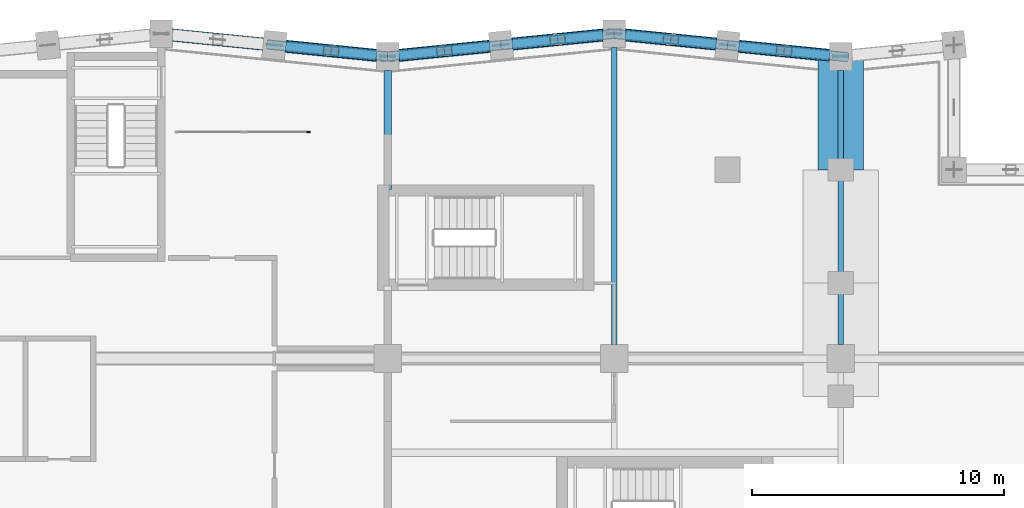
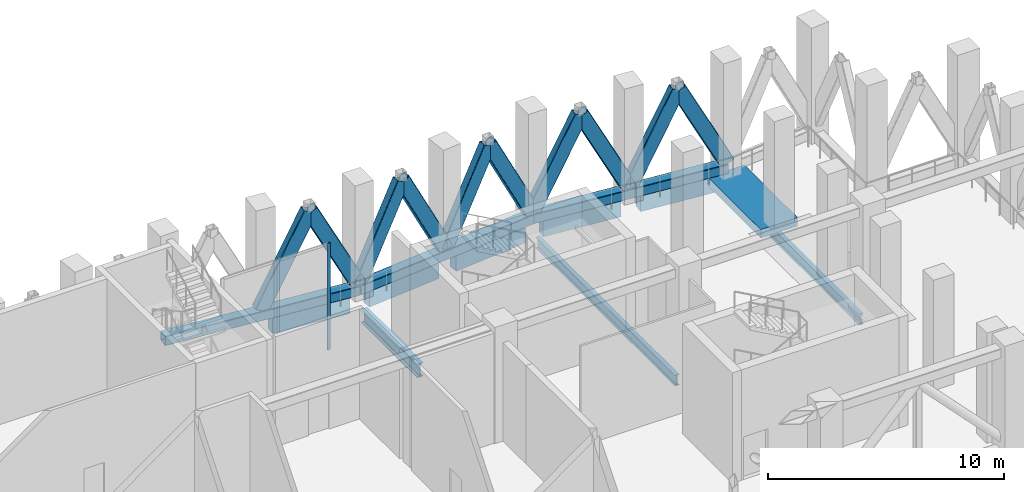
# One storey, part 8 of 28: 14 members, 9 beams, 1 element without a shape of its own.
"""IFC4 building model written with IfcOpenShell, lengths in metres."""

from ifc_helpers import new_model, si_unit, direction, frame, origin, origin_2d, place, context, subcontext, project, spatial, rectangle, hollow_rectangle, i_section, extrude, material, material_profile, profile_set, type_object, element, aggregate, save


model = new_model("IFC4")

# Units and contexts
model_context = context("Model", 3, precision=1e-05, world=origin(), true_north=direction((0.0, 1.0)))
body_context = subcontext(model_context, "Body", "Model", "MODEL_VIEW")
ifc_project = project(units=[si_unit("LENGTHUNIT", "METRE"), si_unit("AREAUNIT", "SQUARE_METRE"), si_unit("VOLUMEUNIT", "CUBIC_METRE"), si_unit("PLANEANGLEUNIT", "RADIAN"), si_unit("MASSUNIT", "GRAM", prefix="KILO")], contexts=[model_context])

# Site, building, storey
site_placement = place(None, origin())
site = spatial("IfcSite", under=ifc_project, at=site_placement, CompositionType="ELEMENT")
building_placement = place(site_placement, origin())
building = spatial("IfcBuilding", under=site, at=building_placement, Name="Brondeck Convention Tower", CompositionType="ELEMENT")
storey_placement = place(building_placement, frame((0.0, 0.0, 192.800048828125)))
storey = spatial("IfcBuildingStorey", under=building, at=storey_placement, Name="L47", CompositionType="ELEMENT", Elevation=192.800048828125)

# Beam
ifc_material_1 = material(Name="Concrete C70/85", Category="concrete")
ifc_material_profile_1 = material_profile(ifc_material_1, rectangle(XDim=1.800048828125, YDim=0.43994140625, at=origin_2d()), Name="Band beam 1800x440 Concrete C70/85")
ifc_profile_set_1 = profile_set([ifc_material_profile_1], Name="Concrete C70/85")
beam_type_1 = type_object("IfcBeamType", Name="Band beam 1800x440 Concrete C70/85", PredefinedType="BEAM", material=ifc_profile_set_1)
beam_1_placement = place(storey_placement, frame((54.0, 58.5, -0.219970703125), z_axis=(0.0, 1.0, 0.0), x_axis=(-1.0, 0.0, 0.0)))
element("IfcBeam", 1, at=beam_1_placement, inside=storey, type_object=beam_type_1, Name="Band beam L47-31", PredefinedType="BEAM", context=body_context, shape_type="SweptSolid", body=[
    extrude(rectangle(XDim=1.800048828125, YDim=0.43994140625, at=origin_2d()), origin(), (0.0, 0.0, 1.0), 4.5),
])

# Curtain wall, member
ifc_material_2 = material(Name="Aluminium, bronze anodised", Category="aluminium")
curtain_wall_type = type_object("IfcCurtainWallType", Name="Band enclosure curtain wall", PredefinedType="NOTDEFINED", material=ifc_material_2)
curtain_wall_placement = place(storey_placement, origin())
curtain_wall = element("IfcCurtainWall", 2, at=curtain_wall_placement, inside=storey, type_object=curtain_wall_type, Name="ENV-L47-001-CW50", PredefinedType="NOTDEFINED")
ifc_material_profile_2 = material_profile(ifc_material_2, rectangle(XDim=0.06005859375, YDim=0.14990234375, at=origin_2d()), Name="CW5 mullion")
ifc_profile_set_2 = profile_set([ifc_material_profile_2], Name="Aluminium, bronze anodised")
member_type_1 = type_object("IfcMemberType", Name="CW5 mullion", PredefinedType="MULLION", material=ifc_profile_set_2)
member_placement = place(storey_placement, frame((32.85009765625, 60.0, 0.0), z_axis=(0.0, 0.0, 1.0), x_axis=(0.0, 1.0, 0.0)))
member = element("IfcMember", 3, at=member_placement, type_object=member_type_1, Name="CW5 mullion 2", PredefinedType="MULLION", context=body_context, shape_type="SweptSolid", body=[
    extrude(rectangle(XDim=0.06005859375, YDim=0.14990234375, at=origin_2d()), origin(), (0.0, 0.0, 1.0), 5.5),
])
aggregate(curtain_wall, [member])

# Members
ifc_material_3 = material(Name="Steel S460", Category="steel")
ifc_material_profile_3 = material_profile(ifc_material_3, hollow_rectangle(XDim=0.39990234375, YDim=0.699951171875, WallThickness=0.030029296875, InnerFilletRadius=0.030029296875, OuterFilletRadius=0.06005859375, at=origin_2d()), Name="RHS 700x400x30")
ifc_profile_set_3 = profile_set([ifc_material_profile_3], Name="Steel S460")
member_type_2 = type_object("IfcMemberType", Name="Chevron brace RHS 700x400x30", PredefinedType="BRACE", material=ifc_profile_set_3)
for number, where, z_axis, x_axis, name in (
    (4, (54.0, 63.0, 0.5), (-0.451749471427, 0.045194554325, 0.89099936438), (-0.099546478526, -0.995032913332, 0.0), "Belt truss BT-47-28 diagonal"),
    (5, (49.5, 63.449951171875, 0.5), (0.451750471668, -0.045145636329, 0.891001337186), (0.099439578731, 0.995043602151, 0.0), "Belt truss BT-47-28 diagonal"),
    (6, (49.5, 63.449951171875, 0.5), (-0.451749471427, 0.045194554325, 0.89099936438), (-0.099546478526, -0.995032913332, 0.0), "Belt truss BT-47-29 diagonal"),
    (7, (45.0, 63.89990234375, 0.5), (0.451750471668, -0.045145636329, 0.891001337186), (0.099439578731, 0.995043602151, 0.0), "Belt truss BT-47-29 diagonal"),
    (8, (45.0, 63.89990234375, 0.5), (-0.451750471668, -0.045145636329, 0.891001337186), (0.099439578731, -0.995043602151, 0.0), "Belt truss BT-47-30 diagonal"),
    (9, (40.5, 63.449951171875, 0.5), (0.451749471427, 0.045194554325, 0.89099936438), (-0.099546478526, 0.995032913332, 0.0), "Belt truss BT-47-30 diagonal"),
    (10, (40.5, 63.449951171875, 0.5), (-0.451750471668, -0.045145636329, 0.891001337186), (0.099439578731, -0.995043602151, 0.0), "Belt truss BT-47-31 diagonal"),
    (11, (36.0, 63.0, 0.5), (0.451749471427, 0.045194554325, 0.89099936438), (-0.099546478526, 0.995032913332, 0.0), "Belt truss BT-47-31 diagonal"),
    (12, (36.0, 63.0, 0.5), (-0.451749471427, 0.045194554325, 0.89099936438), (-0.099546478526, -0.995032913332, 0.0), "Belt truss BT-47-32 diagonal"),
    (13, (31.5, 63.449951171875, 0.5), (0.451750471668, -0.045145636329, 0.891001337186), (0.099439578731, 0.995043602151, 0.0), "Belt truss BT-47-32 diagonal"),
):
    element("IfcMember", number, at=place(storey_placement, frame(where, z_axis=z_axis, x_axis=x_axis)), inside=storey, type_object=member_type_2, Name=name, PredefinedType="BRACE", context=body_context, shape_type="SweptSolid", body=[
        extrude(hollow_rectangle(XDim=0.39990234375, YDim=0.699951171875, WallThickness=0.030029296875, InnerFilletRadius=0.030029296875, OuterFilletRadius=0.06005859375, at=origin_2d()), origin(), (0.0, 0.0, 1.0), 4.980712890625),
    ])

# Beams
ifc_material_4 = material(Name="Steel S355", Category="steel")
ifc_material_profile_4 = material_profile(ifc_material_4, i_section(OverallWidth=0.2099609375, OverallDepth=0.550048828125, WebThickness=0.010986328125, FlangeThickness=0.01708984375, FilletRadius=0.02392578125, at=origin_2d()), Name="IPE 550")
ifc_profile_set_4 = profile_set([ifc_material_profile_4], Name="Steel S355")
beam_type_2 = type_object("IfcBeamType", Name="Floor beam IPE 550", PredefinedType="BEAM", material=ifc_profile_set_4)
beam_2_placement = place(storey_placement, frame((45.0, 51.550048828125, -0.72509765625), z_axis=(0.0, 1.0, 0.0), x_axis=(-1.0, 0.0, 0.0)))
element("IfcBeam", 14, at=beam_2_placement, inside=storey, type_object=beam_type_2, Name="STR-FB-L47-002", PredefinedType="BEAM", context=body_context, shape_type="SweptSolid", body=[
    extrude(i_section(OverallWidth=0.2099609375, OverallDepth=0.550048828125, WebThickness=0.010986328125, FlangeThickness=0.01708984375, FilletRadius=0.02392578125, at=origin_2d()), origin(), (0.0, 0.0, 1.0), 11.800048828125),
])
beam_3_placement = place(storey_placement, frame((54.0, 51.550048828125, -0.72509765625), z_axis=(0.0, 1.0, 0.0), x_axis=(-1.0, 0.0, 0.0)))
element("IfcBeam", 15, at=beam_3_placement, inside=storey, type_object=beam_type_2, Name="STR-FB-L47-005", PredefinedType="BEAM", context=body_context, shape_type="SweptSolid", body=[
    extrude(i_section(OverallWidth=0.2099609375, OverallDepth=0.550048828125, WebThickness=0.010986328125, FlangeThickness=0.01708984375, FilletRadius=0.02392578125, at=origin_2d()), origin(), (0.0, 0.0, 1.0), 10.89990234375),
])
ifc_material_profile_5 = material_profile(ifc_material_4, i_section(OverallWidth=0.300048828125, OverallDepth=0.699951171875, WebThickness=0.01708984375, FlangeThickness=0.031982421875, FilletRadius=0.027099609375, at=origin_2d()), Name="HEB 700")
ifc_profile_set_5 = profile_set([ifc_material_profile_5], Name="Steel S355")
beam_type_3 = type_object("IfcBeamType", Name="Girder HEB 700", PredefinedType="BEAM", material=ifc_profile_set_5)
beam_4_placement = place(storey_placement, frame((36.0, 57.719970703125, -0.800048828125), z_axis=(0.0, 1.0, 0.0), x_axis=(-1.0, 0.0, 0.0)))
element("IfcBeam", 16, at=beam_4_placement, inside=storey, type_object=beam_type_3, Name="STR-GR-L47-010", PredefinedType="BEAM", context=body_context, shape_type="SweptSolid", body=[
    extrude(i_section(OverallWidth=0.300048828125, OverallDepth=0.699951171875, WebThickness=0.01708984375, FlangeThickness=0.031982421875, FilletRadius=0.027099609375, at=origin_2d()), origin(), (0.0, 0.0, 1.0), 4.72998046875),
])
ifc_material_profile_6 = material_profile(ifc_material_1, rectangle(XDim=0.449951171875, YDim=0.800048828125, at=origin_2d()), Name="Precast spandrel 450x800 Concrete C70/85")
ifc_profile_set_6 = profile_set([ifc_material_profile_6], Name="Concrete C70/85")
beam_type_4 = type_object("IfcBeamType", Name="Precast spandrel 450x800 Concrete C70/85", PredefinedType="SPANDREL", material=ifc_profile_set_6)
for number, where, z_axis, x_axis, name in (
    (17, (53.550048828125, 63.044921875, -0.400146484375), (-0.995033851182, 0.099537103649, 0.0), (-0.099537103649, -0.995033851182, 0.0), "STR-SP-L47-028"),
    (18, (49.05224609375, 63.494873046875, -0.400146484375), (-0.995040528141, 0.099470334057, 0.0), (-0.099470334057, -0.995040528141, 0.0), "STR-SP-L47-029"),
    (19, (44.550048828125, 63.85498046875, -0.400146484375), (-0.995040528141, -0.099470334057, 0.0), (0.099470334057, -0.995040528141, 0.0), "STR-SP-L47-030"),
    (20, (40.05224609375, 63.4052734375, -0.400146484375), (-0.995033851182, -0.099537103649, 0.0), (0.099537103649, -0.995033851182, 0.0), "STR-SP-L47-031"),
    (21, (35.550048828125, 63.044921875, -0.400146484375), (-0.995033851182, 0.099537103649, 0.0), (-0.099537103649, -0.995033851182, 0.0), "STR-SP-L47-032"),
):
    element("IfcBeam", number, at=place(storey_placement, frame(where, z_axis=z_axis, x_axis=x_axis)), inside=storey, type_object=beam_type_4, Name=name, PredefinedType="SPANDREL", context=body_context, shape_type="SweptSolid", body=[
        extrude(rectangle(XDim=0.449951171875, YDim=0.800048828125, at=origin_2d()), origin(), (0.0, 0.0, 1.0), 3.620361328125),
    ])

# Members
ifc_material_profile_7 = material_profile(ifc_material_3, hollow_rectangle(XDim=0.5, YDim=0.5, WallThickness=0.02490234375, InnerFilletRadius=0.02490234375, OuterFilletRadius=0.050048828125, at=origin_2d()), Name="RHS 500x500x25")
ifc_profile_set_7 = profile_set([ifc_material_profile_7], Name="Steel S460")
member_type_3 = type_object("IfcMemberType", Name="Truss chord RHS 500x500x25", PredefinedType="CHORD", material=ifc_profile_set_7)
for number, where, z_axis, x_axis, name in (
    (22, (54.0, 63.0, 0.25), (-0.995038259148, 0.099493029059, 0.0), (-0.099493029059, -0.995038259148, 0.0), "Belt truss BT-47-15 chord"),
    (23, (45.0, 63.89990234375, 0.25), (-0.995038259148, -0.099493029059, 0.0), (0.099493029059, -0.995038259148, 0.0), "Belt truss BT-47-16 chord"),
    (24, (36.0, 63.0, 0.25), (-0.995038259148, 0.099493029059, 0.0), (-0.099493029059, -0.995038259148, 0.0), "Belt truss BT-47-17 chord"),
):
    element("IfcMember", number, at=place(storey_placement, frame(where, z_axis=z_axis, x_axis=x_axis)), inside=storey, type_object=member_type_3, Name=name, PredefinedType="CHORD", context=body_context, shape_type="SweptSolid", body=[
        extrude(hollow_rectangle(XDim=0.5, YDim=0.5, WallThickness=0.02490234375, InnerFilletRadius=0.02490234375, OuterFilletRadius=0.050048828125, at=origin_2d()), origin(), (0.0, 0.0, 1.0), 9.044921875),
    ])

save(model, "model.ifc")
